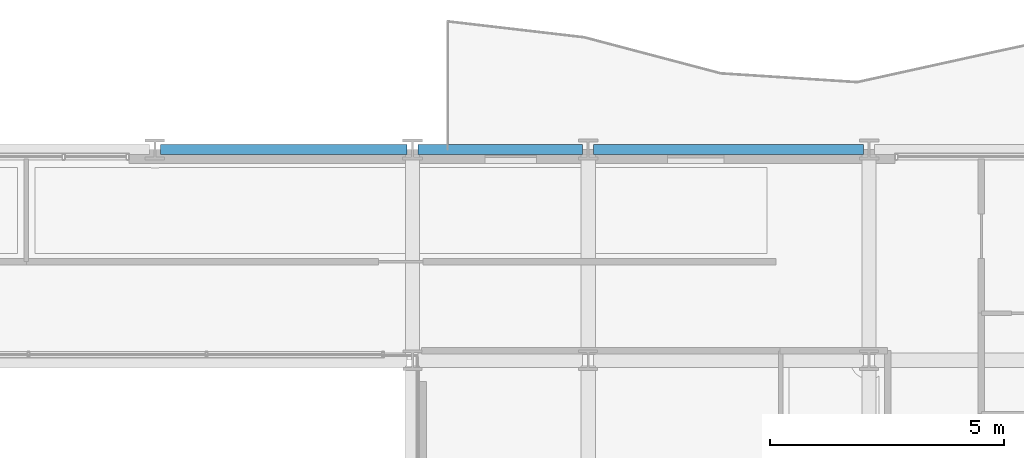
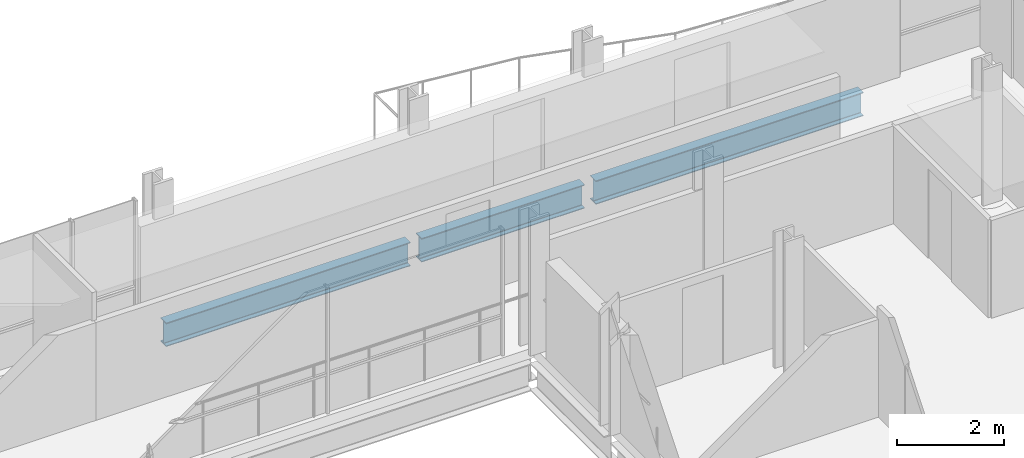
# One storey, part 23 of 41: 3 beams.
"""IFC4 building model written with IfcOpenShell, lengths in metres."""

import ifcopenshell
import ifcopenshell.guid

model = None  # the IFC model being written
_history = None  # IfcOwnerHistory: only IFC2X3 demands one
_inside = {}  # id of a spatial element -> (the spatial element, [elements in it])
_under = {}  # id of a project, library or spatial element -> (it, [spatial elements below it])
_declared = {}  # id of a project -> (the project, [libraries it declares])
_typed = {}  # id of a type object -> (the type object, [elements of that type])
_made_of = {}  # id of a material, layer set ... -> (it, [elements and type objects made of it])


def new_model(schema):
    """Start an empty IFC model of exactly this schema.

    Asked for "IFC4X3", IfcOpenShell would pick the latest addendum, in which some entities
    have other attributes; the version numbers below select the first issue.
    IFC2X3 requires an IfcOwnerHistory on every rooted entity: one is made here for all.
    """
    global model, _history
    if schema == "IFC4X3":
        model = ifcopenshell.file(schema_version=(4, 3, 0, 0))
    else:
        model = ifcopenshell.file(schema=schema)
    _inside.clear()
    _under.clear()
    _declared.clear()
    _typed.clear()
    _made_of.clear()
    _history = None
    if model.schema == "IFC2X3":
        org = make("IfcOrganization", Name="unknown")
        user = make(
            "IfcPersonAndOrganization",
            ThePerson=make("IfcPerson", FamilyName="unknown"),
            TheOrganization=org,
        )
        app = make(
            "IfcApplication",
            ApplicationDeveloper=org,
            Version="unknown",
            ApplicationFullName="unknown",
            ApplicationIdentifier="unknown",
        )
        _history = make(
            "IfcOwnerHistory",
            OwningUser=user,
            OwningApplication=app,
            ChangeAction="ADDED",
            CreationDate=0,
        )
    return model


def make(cls, **values):
    """One entity of the class cls with the attributes given. An attribute that is None is left unset."""
    return model.create_entity(
        cls, **{name: value for name, value in values.items() if value is not None}
    )


def rooted(cls, **values):
    """An entity with a GlobalId (a new one), such as an element, a storey or a relation."""
    return make(cls, GlobalId=ifcopenshell.guid.new(), OwnerHistory=_history, **values)


def si_unit(unit_type, name, prefix=None):
    """IfcSIUnit, for example si_unit("LENGTHUNIT", "METRE", prefix="MILLI")."""
    return make("IfcSIUnit", UnitType=unit_type, Prefix=prefix, Name=name)


def assignment(units):
    """IfcUnitAssignment: the units of a project."""
    return None if units is None else make("IfcUnitAssignment", Units=units)


def point(xyz):
    """IfcCartesianPoint."""
    return None if xyz is None else make("IfcCartesianPoint", Coordinates=xyz)


def direction(xyz):
    """IfcDirection."""
    return None if xyz is None else make("IfcDirection", DirectionRatios=xyz)


def frame(location, z_axis=None, x_axis=None):
    """IfcAxis2Placement3D, a coordinate frame: its origin and axes. An axis left out is left unset."""
    return make(
        "IfcAxis2Placement3D",
        Location=point(location),
        Axis=direction(z_axis),
        RefDirection=direction(x_axis),
    )


def frame_2d(location, x_axis=None):
    """IfcAxis2Placement2D, a coordinate frame in the plane: its origin and x axis."""
    return make(
        "IfcAxis2Placement2D", Location=point(location), RefDirection=direction(x_axis)
    )


def origin():
    """The frame at (0, 0, 0) with its axes left unset."""
    return frame((0.0, 0.0, 0.0))


def origin_2d():
    """The frame at (0, 0) in the plane with its x axis left unset."""
    return frame_2d((0.0, 0.0))


def place(relative_to, where):
    """IfcLocalPlacement: puts the frame where relative to a parent placement (None: the world)."""
    return make(
        "IfcLocalPlacement", PlacementRelTo=relative_to, RelativePlacement=where
    )


def context(
    kind, dimensions, precision=None, world=None, true_north=None, identifier=None
):
    """IfcGeometricRepresentationContext, for example the 3D "Model" context."""
    return make(
        "IfcGeometricRepresentationContext",
        ContextIdentifier=identifier,
        ContextType=kind,
        CoordinateSpaceDimension=dimensions,
        Precision=precision,
        WorldCoordinateSystem=world,
        TrueNorth=true_north,
    )


def subcontext(parent, identifier, kind, view, scale=None):
    """IfcGeometricRepresentationSubContext, for example "Body" below "Model"."""
    return make(
        "IfcGeometricRepresentationSubContext",
        ContextIdentifier=identifier,
        ContextType=kind,
        ParentContext=parent,
        TargetScale=scale,
        TargetView=view,
    )


def project(units=None, contexts=None):
    """IfcProject with its units and contexts."""
    return rooted(
        "IfcProject",
        Name="project",
        RepresentationContexts=contexts,
        UnitsInContext=assignment(units),
    )


def spatial(cls, under=None, at=None, **own):
    """A site, building, storey or space (cls), placed at a placement, below another one or the project."""
    s = rooted(cls, ObjectPlacement=at, **own)
    if under is not None:
        _under.setdefault(under.id(), (under, []))[1].append(s)
    return s


def profile(cls, at=None, kind="AREA", **sizes):
    """A parametric profile (cls). Its sizes go by their IFC names, for example OverallWidth=200.0."""
    return make(cls, ProfileType=kind, Position=at, **sizes)


def i_section(**sizes):
    """IfcIShapeProfileDef."""
    return profile("IfcIShapeProfileDef", **sizes)


def extrude(swept, where, along, depth):
    """IfcExtrudedAreaSolid: the profile swept, set in the frame where, extruded along a direction by depth."""
    return make(
        "IfcExtrudedAreaSolid",
        SweptArea=swept,
        Position=where,
        ExtrudedDirection=direction(along),
        Depth=depth,
    )


def shape(context_of_items, identifier, shape_type, items):
    """IfcShapeRepresentation: the items that make up one representation, for example the "Body"."""
    return make(
        "IfcShapeRepresentation",
        ContextOfItems=context_of_items,
        RepresentationIdentifier=identifier,
        RepresentationType=shape_type,
        Items=items,
    )


def material(Name=None, Category=None):
    """IfcMaterial."""
    return make("IfcMaterial", Name=Name, Category=Category)


def material_profile(
    of_material, cross_section, Name=None, Category=None, Priority=None
):
    """IfcMaterialProfile: a cross section and its material."""
    return make(
        "IfcMaterialProfile",
        Name=Name,
        Material=of_material,
        Profile=cross_section,
        Priority=Priority,
        Category=Category,
    )


def profile_set(profiles, Name=None, composite=None):
    """IfcMaterialProfileSet."""
    return make(
        "IfcMaterialProfileSet",
        Name=Name,
        MaterialProfiles=profiles,
        CompositeProfile=composite,
    )


def made_of(thing, what):
    """Note that an element or type object is made of a material, layer set ...; save() writes the relation."""
    if what is not None:
        _made_of.setdefault(what.id(), (what, []))[1].append(thing)
    return thing


def type_object(cls, material=None, **own):
    """A type object (cls), such as IfcWallType, which elements share."""
    return made_of(rooted(cls, **own), material)


def element(
    cls,
    number,
    at=None,
    inside=None,
    cuts=None,
    type_object=None,
    material=None,
    context=None,
    identifier="Body",
    shape_type=None,
    held_by="IfcProductDefinitionShape",
    body=None,
    shapes=None,
    **own,
):
    """One element of the class cls, such as IfcWall. Its Tag is "e" and its number.

    at: its placement. inside: the storey or other place that contains it. cuts: it is an
    opening in that element (IfcRelVoidsElement). A single representation is given by context,
    identifier, shape_type and body (its items); several are given by shapes. held_by: the class
    of the entity that holds the representations. save() writes the other relations.
    """
    e = rooted(cls, Tag="e%d" % number, ObjectPlacement=at, **own)
    if body is not None:
        shapes = [shape(context, identifier, shape_type, body)]
    if shapes is not None:
        e.Representation = make(held_by, Representations=shapes)
    if inside is not None:
        _inside.setdefault(inside.id(), (inside, []))[1].append(e)
    if cuts is not None:
        rooted(
            "IfcRelVoidsElement", RelatingBuildingElement=cuts, RelatedOpeningElement=e
        )
    if type_object is not None:
        _typed.setdefault(type_object.id(), (type_object, []))[1].append(e)
    return made_of(e, material)


def aggregate(whole, parts):
    """IfcRelAggregates: a whole, such as a stair, and the parts it consists of."""
    return rooted("IfcRelAggregates", RelatingObject=whole, RelatedObjects=parts)


def save(model, path):
    """Write the relations noted so far, then the file.

    IfcRelAggregates (storeys below a building ...), IfcRelContainedInSpatialStructure (elements
    in a storey), IfcRelDefinesByType, IfcRelAssociatesMaterial and IfcRelDeclares: one each for
    every whole, place, type object, material and project.
    """
    for whole, parts in _under.values():
        aggregate(whole, parts)
    for where, things in _inside.values():
        rooted(
            "IfcRelContainedInSpatialStructure",
            RelatedElements=things,
            RelatingStructure=where,
        )
    for kind, things in _typed.values():
        rooted("IfcRelDefinesByType", RelatedObjects=things, RelatingType=kind)
    for what, things in _made_of.values():
        rooted("IfcRelAssociatesMaterial", RelatedObjects=things, RelatingMaterial=what)
    for by, libraries in _declared.values():
        rooted("IfcRelDeclares", RelatingContext=by, RelatedDefinitions=libraries)
    model.write(path)


model = new_model("IFC4")

# Units and contexts
model_context = context("Model", 3, precision=1e-05, world=origin(), true_north=direction((0.0, 1.0)))
body_context = subcontext(model_context, "Body", "Model", "MODEL_VIEW")
ifc_project = project(units=[si_unit("LENGTHUNIT", "METRE"), si_unit("AREAUNIT", "SQUARE_METRE"), si_unit("VOLUMEUNIT", "CUBIC_METRE"), si_unit("PLANEANGLEUNIT", "RADIAN"), si_unit("MASSUNIT", "GRAM", prefix="KILO")], contexts=[model_context])

# Site, building, storey
site_placement = place(None, origin())
site = spatial("IfcSite", under=ifc_project, at=site_placement, CompositionType="ELEMENT")
building_placement = place(site_placement, origin())
building = spatial("IfcBuilding", under=site, at=building_placement, Name="Brevholm Reach", CompositionType="ELEMENT")
storey_placement = place(building_placement, frame((0.0, 0.0, 74.5)))
storey = spatial("IfcBuildingStorey", under=building, at=storey_placement, Name="L21", CompositionType="ELEMENT", Elevation=74.5)

# Beams
ifc_material = material(Name="Structural Steel S355J2", Category="steel")
ifc_material_profile = material_profile(ifc_material, i_section(OverallWidth=0.210693359375, OverallDepth=0.53955078125, WebThickness=0.01171875, FlangeThickness=0.018798828125, FilletRadius=0.0126953125, at=origin_2d()), Name="UKB 533x210x109")
ifc_profile_set = profile_set([ifc_material_profile], Name="Structural Steel S355J2")
beam_type = type_object("IfcBeamType", Name="BM-SP539", PredefinedType="SPANDREL", material=ifc_profile_set)
beam_1_placement = place(storey_placement, frame((32.8701171875, 31.0, -0.499755859375), z_axis=(1.0, 0.0, 0.0), x_axis=(0.0, 1.0, 0.0)))
element("IfcBeam", 1, at=beam_1_placement, inside=storey, type_object=beam_type, Name="L21 SP-01B Framing Beam", PredefinedType="SPANDREL", context=body_context, shape_type="SweptSolid", body=[
    extrude(i_section(OverallWidth=0.210693359375, OverallDepth=0.53955078125, WebThickness=0.01171875, FlangeThickness=0.018798828125, FilletRadius=0.0126953125, at=origin_2d()), origin(), (0.0, 0.0, 1.0), 5.259765625),
])
beam_2_placement = place(storey_placement, frame((38.3701171875, 31.0, -0.499755859375), z_axis=(1.0, 0.0, 0.0), x_axis=(0.0, 1.0, 0.0)))
element("IfcBeam", 2, at=beam_2_placement, inside=storey, type_object=beam_type, Name="L21 SP-01B Framing Beam", PredefinedType="SPANDREL", context=body_context, shape_type="SweptSolid", body=[
    extrude(i_section(OverallWidth=0.210693359375, OverallDepth=0.53955078125, WebThickness=0.01171875, FlangeThickness=0.018798828125, FilletRadius=0.0126953125, at=origin_2d()), origin(), (0.0, 0.0, 1.0), 3.509765625),
])
beam_3_placement = place(storey_placement, frame((42.1201171875, 31.0, -0.499755859375), z_axis=(1.0, 0.0, 0.0), x_axis=(0.0, 1.0, 0.0)))
element("IfcBeam", 3, at=beam_3_placement, inside=storey, type_object=beam_type, Name="L21 SP-01B Framing Beam", PredefinedType="SPANDREL", context=body_context, shape_type="SweptSolid", body=[
    extrude(i_section(OverallWidth=0.210693359375, OverallDepth=0.53955078125, WebThickness=0.01171875, FlangeThickness=0.018798828125, FilletRadius=0.0126953125, at=origin_2d()), origin(), (0.0, 0.0, 1.0), 5.759765625),
])

save(model, "model.ifc")
